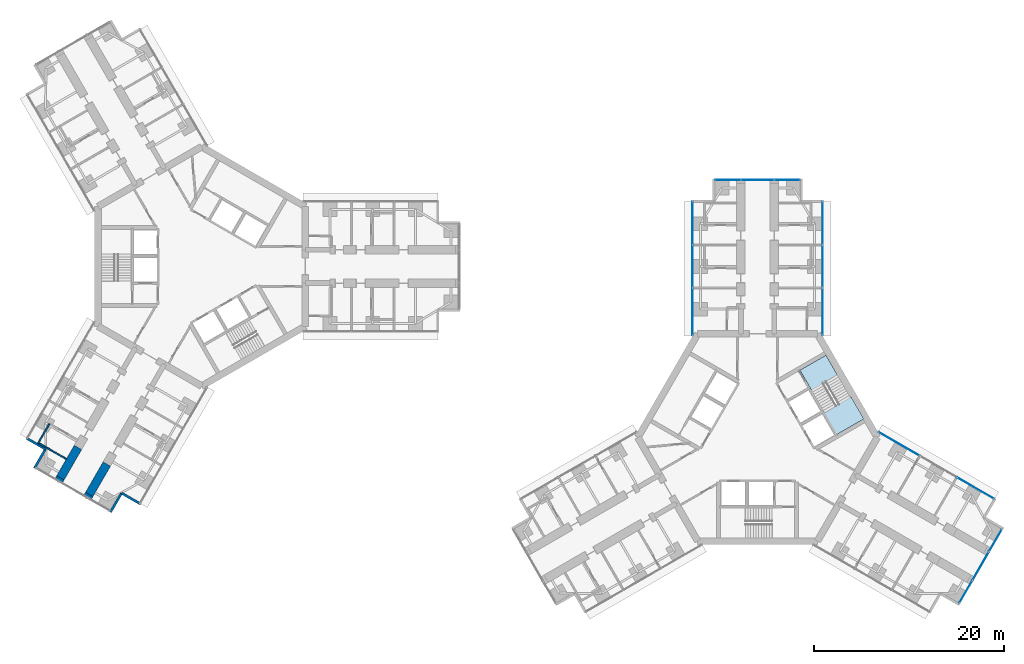
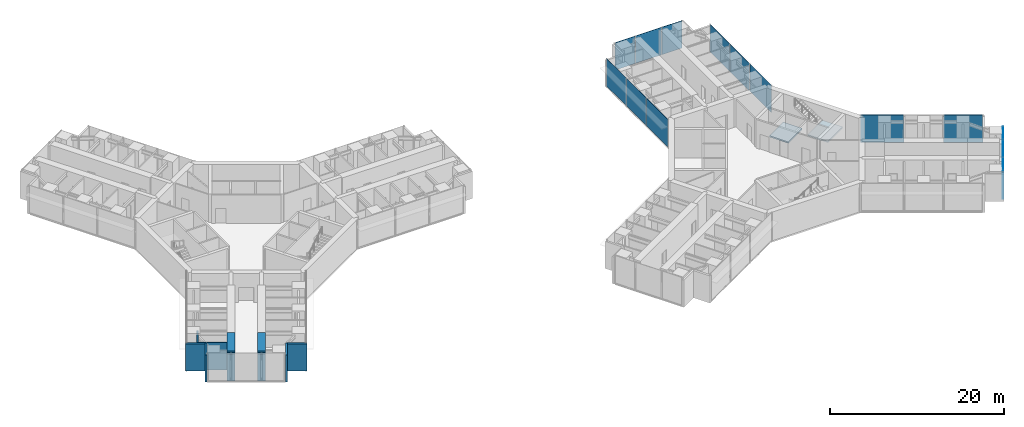
# One storey, part 15 of 24: 14 plates, 10 walls, 2 slabs, 6 elements without a shape of their own.
"""IFC4 building model written with IfcOpenShell, lengths in metres."""

from ifc_helpers import new_model, si_unit, direction, frame, frame_2d, origin, origin_2d, place, context, subcontext, project, spatial, polyline, rectangle, outline, extrude, material, layer, layer_set, type_object, element, aggregate, save


model = new_model("IFC4")

# Units and contexts
model_context = context("Model", 3, precision=1e-05, world=origin(), true_north=direction((0.0, 1.0)))
body_context = subcontext(model_context, "Body", "Model", "MODEL_VIEW")
ifc_project = project(units=[si_unit("LENGTHUNIT", "METRE"), si_unit("AREAUNIT", "SQUARE_METRE"), si_unit("VOLUMEUNIT", "CUBIC_METRE"), si_unit("PLANEANGLEUNIT", "RADIAN"), si_unit("MASSUNIT", "GRAM", prefix="KILO")], contexts=[model_context])

# Site, building, storey
site_placement = place(None, origin())
site = spatial("IfcSite", under=ifc_project, at=site_placement, CompositionType="ELEMENT")
building_placement = place(site_placement, origin())
building = spatial("IfcBuilding", under=site, at=building_placement, Name="Upepo Twin Towers", CompositionType="ELEMENT")
storey_placement = place(building_placement, frame((0.0, 0.0, 60.5)))
storey = spatial("IfcBuildingStorey", under=building, at=storey_placement, Name="L14", CompositionType="ELEMENT", Elevation=60.5)

# Curtain wall, plates
ifc_material_1 = material(Name="Aluminium and fritted glass", Category="aluminium")
curtain_wall_type = type_object("IfcCurtainWallType", Name="Tower curtain wall TW1, fritted glass", PredefinedType="NOTDEFINED", material=ifc_material_1)
curtain_wall_1_placement = place(storey_placement, origin())
curtain_wall_1 = element("IfcCurtainWall", 1, at=curtain_wall_1_placement, inside=storey, type_object=curtain_wall_type, Name="T2 L14 wing A flank L curtain wall", PredefinedType="NOTDEFINED")
ifc_material_2 = material(Name="Ceramic-fritted laminated glass", Category="glass")
ifc_layer_1 = layer(ifc_material_2, 0.031982421875)
ifc_layer_set_1 = layer_set([ifc_layer_1], Name="Fritted glass panel, 25 per cent dot frit, 32 mm double glazed")
plate_type_1 = type_object("IfcPlateType", Name="Fritted glass panel, 25 per cent dot frit, 32 mm double glazed", PredefinedType="CURTAIN_PANEL", material=ifc_layer_set_1)
plate_1_placement = place(storey_placement, frame((51.64990234375, -4.76513671875, 0.14990234375), z_axis=(0.0, 0.0, 1.0), x_axis=(0.0, 1.0, 0.0)))
plate_1 = element("IfcPlate", 2, at=plate_1_placement, type_object=plate_type_1, Name="T2 L14 wing A flank L curtain wall panel 1", PredefinedType="CURTAIN_PANEL", context=body_context, shape_type="SweptSolid", body=[
    extrude(rectangle(XDim=4.96533203125, YDim=0.031982421875, at=origin_2d()), origin(), (0.0, 0.0, 1.0), 3.85009765625),
])
plate_2_placement = place(storey_placement, frame((51.64990234375, 0.0, 0.14990234375), z_axis=(0.0, 0.0, 1.0), x_axis=(0.0, 1.0, 0.0)))
plate_2 = element("IfcPlate", 3, at=plate_2_placement, type_object=plate_type_1, Name="T2 L14 wing A flank L curtain wall panel 2", PredefinedType="CURTAIN_PANEL", context=body_context, shape_type="SweptSolid", body=[
    extrude(rectangle(XDim=4.43505859375, YDim=0.031982421875, at=origin_2d()), origin(), (0.0, 0.0, 1.0), 3.85009765625),
])
plate_3_placement = place(storey_placement, frame((51.64990234375, 4.53369140625, 0.14990234375), z_axis=(0.0, 0.0, 1.0), x_axis=(0.0, 1.0, 0.0)))
plate_3 = element("IfcPlate", 4, at=plate_3_placement, type_object=plate_type_1, Name="T2 L14 wing A flank L curtain wall panel 3", PredefinedType="CURTAIN_PANEL", context=body_context, shape_type="SweptSolid", body=[
    extrude(rectangle(XDim=4.50244140625, YDim=0.031982421875, at=origin_2d()), origin(), (0.0, 0.0, 1.0), 3.85009765625),
])
aggregate(curtain_wall_1, [plate_1, plate_2, plate_3])

curtain_wall_2_placement = place(storey_placement, origin())
curtain_wall_2 = element("IfcCurtainWall", 5, at=curtain_wall_2_placement, inside=storey, type_object=curtain_wall_type, Name="T2 L14 wing A flank R curtain wall", PredefinedType="NOTDEFINED")
plate_4_placement = place(storey_placement, frame((65.35009765625, 4.53369140625, 0.14990234375), z_axis=(0.0, 0.0, 1.0), x_axis=(0.0, -1.0, 0.0)))
plate_4 = element("IfcPlate", 6, at=plate_4_placement, type_object=plate_type_1, Name="T2 L14 wing A flank R curtain wall panel 1", PredefinedType="CURTAIN_PANEL", context=body_context, shape_type="SweptSolid", body=[
    extrude(rectangle(XDim=4.50244140625, YDim=0.031982421875, at=origin_2d()), origin(), (0.0, 0.0, 1.0), 3.85009765625),
])
plate_5_placement = place(storey_placement, frame((65.35009765625, 0.0, 0.14990234375), z_axis=(0.0, 0.0, 1.0), x_axis=(0.0, -1.0, 0.0)))
plate_5 = element("IfcPlate", 7, at=plate_5_placement, type_object=plate_type_1, Name="T2 L14 wing A flank R curtain wall panel 2", PredefinedType="CURTAIN_PANEL", context=body_context, shape_type="SweptSolid", body=[
    extrude(rectangle(XDim=4.43505859375, YDim=0.031982421875, at=origin_2d()), origin(), (0.0, 0.0, 1.0), 3.85009765625),
])
plate_6_placement = place(storey_placement, frame((65.35009765625, -4.76513671875, 0.14990234375), z_axis=(0.0, 0.0, 1.0), x_axis=(0.0, -1.0, 0.0)))
plate_6 = element("IfcPlate", 8, at=plate_6_placement, type_object=plate_type_1, Name="T2 L14 wing A flank R curtain wall panel 3", PredefinedType="CURTAIN_PANEL", context=body_context, shape_type="SweptSolid", body=[
    extrude(rectangle(XDim=4.96533203125, YDim=0.031982421875, at=origin_2d()), origin(), (0.0, 0.0, 1.0), 3.85009765625),
])
aggregate(curtain_wall_2, [plate_4, plate_5, plate_6])

# Curtain wall, plate
curtain_wall_3_placement = place(storey_placement, origin())
curtain_wall_3 = element("IfcCurtainWall", 9, at=curtain_wall_3_placement, inside=storey, type_object=curtain_wall_type, Name="T2 L14 wing A nose curtain wall", PredefinedType="NOTDEFINED")
plate_7_placement = place(storey_placement, frame((58.5, 9.10009765625, 0.14990234375), z_axis=(0.0, 0.0, 1.0), x_axis=(-1.0, 0.0, 0.0)))
plate_7 = element("IfcPlate", 10, at=plate_7_placement, type_object=plate_type_1, Name="T2 L14 wing A nose curtain wall panel 2", PredefinedType="CURTAIN_PANEL", context=body_context, shape_type="SweptSolid", body=[
    extrude(rectangle(XDim=3.43505859375, YDim=0.031982421875, at=origin_2d()), origin(), (0.0, 0.0, 1.0), 3.85009765625),
])

# Curtain wall, plates
curtain_wall_4_placement = place(storey_placement, origin())
curtain_wall_4 = element("IfcCurtainWall", 11, at=curtain_wall_4_placement, inside=storey, type_object=curtain_wall_type, Name="T2 L14 wing C flank L curtain wall", PredefinedType="NOTDEFINED")
plate_8_placement = place(storey_placement, frame((73.38671875, -18.68505859375, 0.14990234375), z_axis=(0.0, 0.0, 1.0), x_axis=(0.866025389682, -0.500000024426, 0.0)))
plate_8 = element("IfcPlate", 12, at=plate_8_placement, type_object=plate_type_1, Name="T2 L14 wing C flank L curtain wall panel 1", PredefinedType="CURTAIN_PANEL", context=body_context, shape_type="SweptSolid", body=[
    extrude(rectangle(XDim=4.96533203125, YDim=0.031982421875, at=origin_2d()), origin(), (0.0, 0.0, 1.0), 3.85009765625),
])
plate_9_placement = place(storey_placement, frame((81.439697265625, -23.334716796875, 0.14990234375), z_axis=(0.0, 0.0, 1.0), x_axis=(0.866025389682, -0.500000024426, 0.0)))
plate_9 = element("IfcPlate", 13, at=plate_9_placement, type_object=plate_type_1, Name="T2 L14 wing C flank L curtain wall panel 3", PredefinedType="CURTAIN_PANEL", context=body_context, shape_type="SweptSolid", body=[
    extrude(rectangle(XDim=4.50244140625, YDim=0.031982421875, at=origin_2d()), origin(), (0.0, 0.0, 1.0), 3.85009765625),
])
aggregate(curtain_wall_4, [plate_8, plate_9])

# Curtain wall, plate
curtain_wall_5_placement = place(storey_placement, origin())
curtain_wall_5 = element("IfcCurtainWall", 14, at=curtain_wall_5_placement, inside=storey, type_object=curtain_wall_type, Name="T2 L14 wing C nose curtain wall", PredefinedType="NOTDEFINED")
plate_10_placement = place(storey_placement, frame((81.96923828125, -31.550048828125, 0.14990234375), z_axis=(0.0, 0.0, 1.0), x_axis=(0.500000030502, 0.866025386174, 0.0)))
plate_10 = element("IfcPlate", 15, at=plate_10_placement, type_object=plate_type_1, Name="T2 L14 wing C nose curtain wall panel 2", PredefinedType="CURTAIN_PANEL", context=body_context, shape_type="SweptSolid", body=[
    extrude(rectangle(XDim=3.43505859375, YDim=0.031982421875, at=origin_2d()), origin(), (0.0, 0.0, 1.0), 3.85009765625),
])

# Plate
ifc_material_3 = material(Name="Clear laminated glass in opening sash", Category="glass")
ifc_layer_2 = layer(ifc_material_3, 0.031982421875)
ifc_layer_set_2 = layer_set([ifc_layer_2], Name="Operable glass panel, 32 mm double glazed")
plate_type_2 = type_object("IfcPlateType", Name="Operable glass panel, 32 mm double glazed", PredefinedType="CURTAIN_PANEL", material=ifc_layer_set_2)
plate_11_placement = place(storey_placement, frame((61.608642578125, 9.10009765625, 0.14990234375), z_axis=(0.0, 0.0, 1.0), x_axis=(-1.0, 0.0, 0.0)))
plate_11 = element("IfcPlate", 16, at=plate_11_placement, type_object=plate_type_2, Name="T2 L14 wing A nose curtain wall panel 1", PredefinedType="CURTAIN_PANEL", context=body_context, shape_type="SweptSolid", body=[
    extrude(rectangle(XDim=2.652587890625, YDim=0.031982421875, at=origin_2d()), origin(), (0.0, 0.0, 1.0), 3.85009765625),
])

plate_12_placement = place(storey_placement, frame((55.391357421875, 9.10009765625, 0.14990234375), z_axis=(0.0, 0.0, 1.0), x_axis=(-1.0, 0.0, 0.0)))
plate_12 = element("IfcPlate", 17, at=plate_12_placement, type_object=plate_type_2, Name="T2 L14 wing A nose curtain wall panel 3", PredefinedType="CURTAIN_PANEL", context=body_context, shape_type="SweptSolid", body=[
    extrude(rectangle(XDim=2.652587890625, YDim=0.031982421875, at=origin_2d()), origin(), (0.0, 0.0, 1.0), 3.85009765625),
])

aggregate(curtain_wall_3, [plate_11, plate_7, plate_12])

plate_13_placement = place(storey_placement, frame((80.414794921875, -34.2421875, 0.14990234375), z_axis=(0.0, 0.0, 1.0), x_axis=(0.500000030502, 0.866025386174, 0.0)))
plate_13 = element("IfcPlate", 18, at=plate_13_placement, type_object=plate_type_2, Name="T2 L14 wing C nose curtain wall panel 1", PredefinedType="CURTAIN_PANEL", context=body_context, shape_type="SweptSolid", body=[
    extrude(rectangle(XDim=2.652587890625, YDim=0.031982421875, at=origin_2d()), origin(), (0.0, 0.0, 1.0), 3.85009765625),
])

plate_14_placement = place(storey_placement, frame((83.523681640625, -28.857666015625, 0.14990234375), z_axis=(0.0, 0.0, 1.0), x_axis=(0.500000030502, 0.866025386174, 0.0)))
plate_14 = element("IfcPlate", 19, at=plate_14_placement, type_object=plate_type_2, Name="T2 L14 wing C nose curtain wall panel 3", PredefinedType="CURTAIN_PANEL", context=body_context, shape_type="SweptSolid", body=[
    extrude(rectangle(XDim=2.652587890625, YDim=0.031982421875, at=origin_2d()), origin(), (0.0, 0.0, 1.0), 3.85009765625),
])

aggregate(curtain_wall_5, [plate_13, plate_10, plate_14])

# Stair, slabs
ifc_material_4 = material(Name="Concrete C40/50", Category="concrete")
stair_type = type_object("IfcStairType", Name="Core stair, two flights", PredefinedType="HALF_TURN_STAIR", material=ifc_material_4)
stair_placement = place(storey_placement, origin())
stair = element("IfcStair", 20, at=stair_placement, inside=storey, type_object=stair_type, Name="T2 stair S2 L14", PredefinedType="HALF_TURN_STAIR")
ifc_material_5 = material(Name="Concrete C40/50", Category="concrete")
ifc_layer_3 = layer(ifc_material_5, 0.199951171875)
ifc_layer_set_3 = layer_set([ifc_layer_3], Name="Concrete C40/50")
slab_type = type_object("IfcSlabType", Name="Stair landing 200 RC", PredefinedType="LANDING", material=ifc_layer_set_3)
slab_1_placement = place(storey_placement, frame((0.0, 0.0, -0.199951171875)))
slab_1 = element("IfcSlab", 21, at=slab_1_placement, type_object=slab_type, Name="Stair S2 landing 1", PredefinedType="LANDING", context=body_context, shape_type="SweptSolid", body=[
    extrude(outline(polyline([(64.198486328125, -13.0703125), (66.933837890625, -11.490966796875), (65.69384765625, -9.34326171875), (62.95849609375, -10.922607421875), (64.198486328125, -13.0703125)])), origin(), (0.0, 0.0, 1.0), 0.199951171875),
])
slab_2_placement = place(storey_placement, frame((0.0, 0.0, 1.800048828125)))
slab_2 = element("IfcSlab", 22, at=slab_2_placement, type_object=slab_type, Name="Stair S2 landing 2", PredefinedType="LANDING", context=body_context, shape_type="SweptSolid", body=[
    extrude(outline(polyline([(66.77197265625, -17.7275390625), (69.680419921875, -16.04833984375), (68.3203125, -13.692626953125), (65.411865234375, -15.371826171875), (66.77197265625, -17.7275390625)])), origin(), (0.0, 0.0, 1.0), 0.199951171875),
])
aggregate(stair, [slab_1, slab_2])

# Walls
ifc_material_6 = material(Name="Dense concrete blockwork", Category="masonry")
ifc_layer_4 = layer(ifc_material_6, 0.89990234375)
ifc_layer_set_4 = layer_set([ifc_layer_4], Name="Buttress closer 900, blockwork with fire-stopping to the curtain wall")
wall_type_1 = type_object("IfcWallType", Name="Buttress closer 900, blockwork with fire-stopping to the curtain wall", PredefinedType="PARTITIONING", material=ifc_layer_set_4)
for number, where, z_axis, x_axis, name in (
    (23, (-11.83447265625, -23.997802734375, 0.0), (0.0, 0.0, 1.0), (-0.499949632511, -0.866054481515, 0.0), "T1 L14 wing C buttress closer L"),
    (24, (-14.865478515625, -22.247802734375, 0.0), (0.0, 0.0, 1.0), (-0.499949632511, -0.866054481515, 0.0), "T1 L14 wing C buttress closer R"),
):
    element("IfcWall", number, at=place(storey_placement, frame(where, z_axis=z_axis, x_axis=x_axis)), inside=storey, type_object=wall_type_1, Name=name, PredefinedType="PARTITIONING", context=body_context, shape_type="SweptSolid", body=[
        extrude(rectangle(XDim=0.31005859375, YDim=0.89990234375, at=frame_2d((0.155029296875, 0.0))), origin(), (0.0, 0.0, 1.0), 3.800048828125),
    ])
ifc_material_7 = material(Name="Concrete C60/75", Category="concrete")
ifc_layer_5 = layer(ifc_material_7, 0.89990234375)
ifc_layer_set_5 = layer_set([ifc_layer_5], Name="Concrete C60/75")
wall_type_2 = type_object("IfcWallType", Name="Buttress wall 900 RC", PredefinedType="SHEAR", material=ifc_layer_set_5)
wall_1_placement = place(storey_placement, frame((-9.984375, -20.793701171875, 0.0), z_axis=(0.0, 0.0, 1.0), x_axis=(-0.500042316284, -0.866000971088, 0.0)))
element("IfcWall", 25, at=wall_1_placement, inside=storey, type_object=wall_type_2, Name="T1 wing C buttress wall L part 3", PredefinedType="SHEAR", context=body_context, shape_type="SweptSolid", body=[
    extrude(rectangle(XDim=3.699951171875, YDim=0.89990234375, at=frame_2d((1.85009765625, 0.0))), origin(), (0.0, 0.0, 1.0), 4.0),
])
wall_2_placement = place(storey_placement, frame((-13.015625, -19.043701171875, 0.0), z_axis=(0.0, 0.0, 1.0), x_axis=(-0.499992827086, -0.866029545028, 0.0)))
element("IfcWall", 26, at=wall_2_placement, inside=storey, type_object=wall_type_2, Name="T1 wing C buttress wall R part 3", PredefinedType="SHEAR", context=body_context, shape_type="SweptSolid", body=[
    extrude(rectangle(XDim=3.69970703125, YDim=0.89990234375, at=frame_2d((1.849853515625, 0.0))), origin(), (0.0, 0.0, 1.0), 4.0),
])
ifc_material_8 = material(Name="Blockwork with anodised aluminium cladding", Category="masonry")
ifc_layer_6 = layer(ifc_material_8, 0.25)
ifc_layer_set_6 = layer_set([ifc_layer_6], Name="Notch cladding wall 250, pale metal")
wall_type_3 = type_object("IfcWallType", Name="Notch cladding wall 250, pale metal", PredefinedType="STANDARD", material=ifc_layer_set_6)
for number, where, z_axis, x_axis, name in (
    (27, (-6.418701171875, -25.017333984375, 0.0), (0.0, 0.0, 1.0), (-0.866043940782, 0.499967891604, 0.0), "T1 L14 wing C notch wall L1"),
    (28, (-8.43212890625, -23.85498046875, 0.0), (0.0, 0.0, 1.0), (-0.500046648681, -0.865998469481, 0.0), "T1 L14 wing C notch wall L2"),
    (29, (-18.456298828125, -18.0673828125, 0.0), (0.0, 0.0, 1.0), (0.865998469481, -0.500046648681, 0.0), "T1 L14 wing C notch wall R1"),
    (30, (-16.44287109375, -19.22998046875, 0.0), (0.0, 0.0, 1.0), (-0.500046648681, -0.865998469481, 0.0), "T1 L14 wing C notch wall R2"),
):
    element("IfcWall", number, at=place(storey_placement, frame(where, z_axis=z_axis, x_axis=x_axis)), inside=storey, type_object=wall_type_3, Name=name, PredefinedType="STANDARD", context=body_context, shape_type="SweptSolid", body=[
        extrude(rectangle(XDim=2.324951171875, YDim=0.25, at=frame_2d((1.16259765625, 0.0))), origin(), (0.0, 0.0, 1.0), 3.800048828125),
    ])
ifc_material_9 = material(Name="Gypsum board on steel studs", Category="steel")
ifc_layer_7 = layer(ifc_material_9, 0.14990234375)
ifc_layer_set_7 = layer_set([ifc_layer_7], Name="Teaching partition 150 acoustic")
wall_type_4 = type_object("IfcWallType", Name="Teaching partition 150 acoustic", PredefinedType="PARTITIONING", material=ifc_layer_set_7)
wall_3_placement = place(storey_placement, frame((-16.024658203125, -16.5556640625, 0.0), z_axis=(0.0, 0.0, 1.0), x_axis=(-0.500077600433, -0.865980596518, 0.0)))
element("IfcWall", 31, at=wall_3_placement, inside=storey, type_object=wall_type_4, Name="T1 inner room partition CR at 22.35", PredefinedType="PARTITIONING", context=body_context, shape_type="SweptSolid", body=[
    extrude(rectangle(XDim=2.39990234375, YDim=0.14990234375, at=frame_2d((1.199951171875, 0.0))), origin(), (0.0, 0.0, 1.0), 3.800048828125),
])
wall_4_placement = place(storey_placement, frame((-14.24267578125, -20.269287109375, 0.0), z_axis=(0.0, 0.0, 1.0), x_axis=(-0.866007419912, 0.500031147688, 0.0)))
element("IfcWall", 32, at=wall_4_placement, inside=storey, type_object=wall_type_4, Name="T1 inner room partition CR end at 24.75", PredefinedType="PARTITIONING", context=body_context, shape_type="SweptSolid", body=[
    extrude(rectangle(XDim=3.400146484375, YDim=0.14990234375, at=frame_2d((1.7001953125, 0.0))), origin(), (0.0, 0.0, 1.0), 3.800048828125),
])

save(model, "model.ifc")
